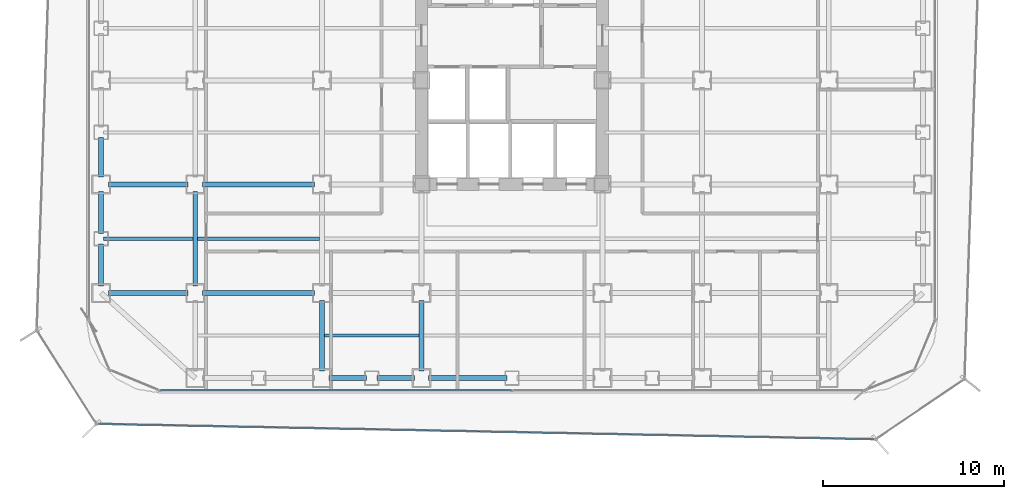
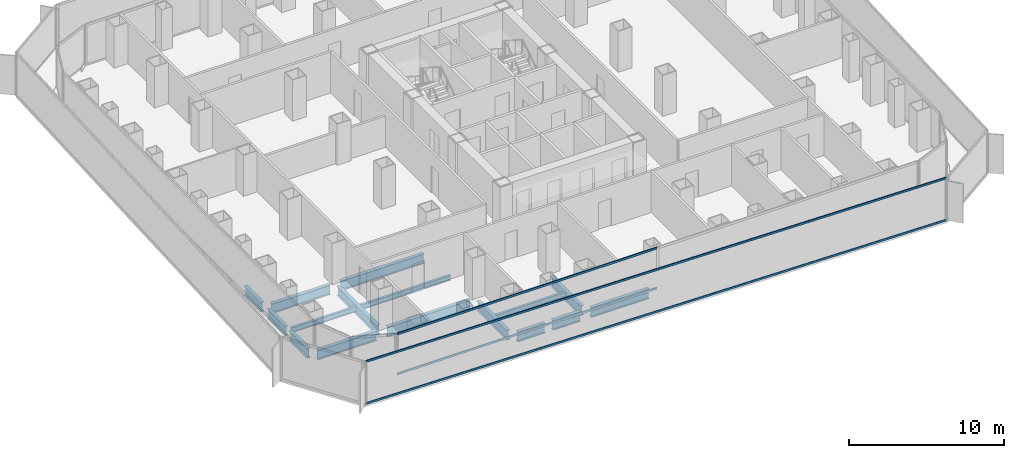
# One storey, part 3 of 22: 16 beams, 4 members, 2 elements without a shape of their own.
"""IFC4 building model written with IfcOpenShell, lengths in metres."""

from ifc_helpers import new_model, si_unit, direction, frame, origin, origin_2d, place, context, subcontext, project, spatial, hollow_rectangle, i_section, extrude, source, transform, mapped, material, layer, layer_set, material_profile, profile_set, type_object, element, aggregate, save


model = new_model("IFC4")

# Units and contexts
model_context = context("Model", 3, precision=1e-05, world=origin(), true_north=direction((0.0, 1.0)))
body_context = subcontext(model_context, "Body", "Model", "MODEL_VIEW")
ifc_project = project(units=[si_unit("LENGTHUNIT", "METRE"), si_unit("AREAUNIT", "SQUARE_METRE"), si_unit("VOLUMEUNIT", "CUBIC_METRE"), si_unit("PLANEANGLEUNIT", "RADIAN"), si_unit("MASSUNIT", "GRAM", prefix="KILO")], contexts=[model_context])

# Site, building, storey
site_placement = place(None, origin())
site = spatial("IfcSite", under=ifc_project, at=site_placement, CompositionType="ELEMENT")
building_placement = place(site_placement, origin())
building = spatial("IfcBuilding", under=site, at=building_placement, Name="Kolveth Station Tower", CompositionType="ELEMENT")
storey_placement = place(building_placement, frame((0.0, 0.0, 84.60009765625)))
storey = spatial("IfcBuildingStorey", under=building, at=storey_placement, Name="L22", CompositionType="ELEMENT", Elevation=84.60009765625)

# Beams
ifc_material_1 = material(Name="Steel S355", Category="steel")
ifc_material_profile_1 = material_profile(ifc_material_1, i_section(OverallWidth=0.26904296875, OverallDepth=0.77490234375, WebThickness=0.01708984375, FlangeThickness=0.0283203125, at=origin_2d()), Name="W760x220")
ifc_profile_set_1 = profile_set([ifc_material_profile_1], Name="Steel S355")
beam_type_1 = type_object("IfcBeamType", Name="Beam_SP1", PredefinedType="SPANDREL", material=ifc_profile_set_1)
shared_shape_1 = source(origin(), body_context, "Body", "SweptSolid", [
    extrude(i_section(OverallWidth=0.26904296875, OverallDepth=0.77490234375, WebThickness=0.01708984375, FlangeThickness=0.0283203125, at=origin_2d()), origin(), (0.0, 0.0, 1.0), 2.070068359375),
])
for number, where, z_axis, x_axis, name in (
    (1, (13.39990234375, 0.800048828125, -0.66748046875), (1.0, 0.0, 0.0), (0.0, 1.0, 0.0), "L22 Perimeter Spandrel BM-L22-PS-3"),
    (2, (16.030029296875, 0.800048828125, -0.66748046875), (1.0, 0.0, 0.0), (0.0, 1.0, 0.0), "L22 Perimeter Spandrel BM-L22-PS-4"),
):
    element("IfcBeam", number, at=place(storey_placement, frame(where, z_axis=z_axis, x_axis=x_axis)), inside=storey, type_object=beam_type_1, Name=name, PredefinedType="SPANDREL", context=body_context, shape_type="MappedRepresentation", body=[
        mapped(shared_shape_1, transform((0.0, 0.0, 0.0), x_axis=(1.0, 0.0, 0.0), y_axis=(0.0, 1.0, 0.0), z_axis=(0.0, 0.0, 1.0), scale=1.0)),
    ])
shared_shape_2 = source(origin(), body_context, "Body", "SweptSolid", [
    extrude(i_section(OverallWidth=0.26904296875, OverallDepth=0.77490234375, WebThickness=0.01708984375, FlangeThickness=0.0283203125, at=origin_2d()), origin(), (0.0, 0.0, 1.0), 4.320068359375),
])
beam_1_placement = place(storey_placement, frame((18.89990234375, 0.800048828125, -0.66748046875), z_axis=(1.0, 0.0, 0.0), x_axis=(0.0, 1.0, 0.0)))
element("IfcBeam", 3, at=beam_1_placement, inside=storey, type_object=beam_type_1, Name="L22 Perimeter Spandrel BM-L22-PS-5", PredefinedType="SPANDREL", context=body_context, shape_type="MappedRepresentation", body=[
    mapped(shared_shape_2, transform((0.0, 0.0, 0.0), x_axis=(1.0, 0.0, 0.0), y_axis=(0.0, 1.0, 0.0), z_axis=(0.0, 0.0, 1.0), scale=1.0)),
])
shared_shape_3 = source(origin(), body_context, "Body", "SweptSolid", [
    extrude(i_section(OverallWidth=0.26904296875, OverallDepth=0.77490234375, WebThickness=0.01708984375, FlangeThickness=0.0283203125, at=origin_2d()), origin(), (0.0, 0.0, 1.0), 2.320068359375),
])
for number, where, z_axis, x_axis, name in (
    (4, (0.800048828125, 5.89990234375, -0.66748046875), (0.0, 1.0, 0.0), (-1.0, 0.0, 0.0), "L22 Perimeter Spandrel BM-L22-PW-1"),
    (5, (0.800048828125, 8.780029296875, -0.66748046875), (0.0, 1.0, 0.0), (-1.0, 0.0, 0.0), "L22 Perimeter Spandrel BM-L22-PW-2"),
):
    element("IfcBeam", number, at=place(storey_placement, frame(where, z_axis=z_axis, x_axis=x_axis)), inside=storey, type_object=beam_type_1, Name=name, PredefinedType="SPANDREL", context=body_context, shape_type="MappedRepresentation", body=[
        mapped(shared_shape_3, transform((0.0, 0.0, 0.0), x_axis=(1.0, 0.0, 0.0), y_axis=(0.0, 1.0, 0.0), z_axis=(0.0, 0.0, 1.0), scale=1.0)),
    ])
shared_shape_4 = source(origin(), body_context, "Body", "SweptSolid", [
    extrude(i_section(OverallWidth=0.26904296875, OverallDepth=0.77490234375, WebThickness=0.01708984375, FlangeThickness=0.0283203125, at=origin_2d()), origin(), (0.0, 0.0, 1.0), 2.2001953125),
])
beam_2_placement = place(storey_placement, frame((0.800048828125, 11.89990234375, -0.66748046875), z_axis=(0.0, 1.0, 0.0), x_axis=(-1.0, 0.0, 0.0)))
element("IfcBeam", 6, at=beam_2_placement, inside=storey, type_object=beam_type_1, Name="L22 Perimeter Spandrel BM-L22-PW-3", PredefinedType="SPANDREL", context=body_context, shape_type="MappedRepresentation", body=[
    mapped(shared_shape_4, transform((0.0, 0.0, 0.0), x_axis=(1.0, 0.0, 0.0), y_axis=(0.0, 1.0, 0.0), z_axis=(0.0, 0.0, 1.0), scale=1.0)),
])
ifc_material_profile_2 = material_profile(ifc_material_1, i_section(OverallWidth=0.26708984375, OverallDepth=0.76611328125, WebThickness=0.014892578125, FlangeThickness=0.023681640625, at=origin_2d()), Name="W760x185")
ifc_profile_set_2 = profile_set([ifc_material_profile_2], Name="Steel S355")
beam_type_2 = type_object("IfcBeamType", Name="Beam_B3", PredefinedType="BEAM", material=ifc_profile_set_2)
shared_shape_5 = source(origin(), body_context, "Body", "SweptSolid", [
    extrude(i_section(OverallWidth=0.26708984375, OverallDepth=0.76611328125, WebThickness=0.014892578125, FlangeThickness=0.023681640625, at=origin_2d()), origin(), (0.0, 0.0, 1.0), 4.400146484375),
])
for number, where, z_axis, x_axis, name in (
    (7, (1.199951171875, 5.5, -0.6630859375), (1.0, 0.0, 0.0), (0.0, 1.0, 0.0), "L22 Primary Girder BM-L22-GY55-1"),
    (8, (1.199951171875, 11.5, -0.6630859375), (1.0, 0.0, 0.0), (0.0, 1.0, 0.0), "L22 Primary Girder BM-L22-GY115-1"),
):
    element("IfcBeam", number, at=place(storey_placement, frame(where, z_axis=z_axis, x_axis=x_axis)), inside=storey, type_object=beam_type_2, Name=name, PredefinedType="BEAM", context=body_context, shape_type="MappedRepresentation", body=[
        mapped(shared_shape_5, transform((0.0, 0.0, 0.0), x_axis=(1.0, 0.0, 0.0), y_axis=(0.0, 1.0, 0.0), z_axis=(0.0, 0.0, 1.0), scale=1.0)),
    ])
shared_shape_6 = source(origin(), body_context, "Body", "SweptSolid", [
    extrude(i_section(OverallWidth=0.26708984375, OverallDepth=0.76611328125, WebThickness=0.014892578125, FlangeThickness=0.023681640625, at=origin_2d()), origin(), (0.0, 0.0, 1.0), 6.2001953125),
])
for number, where, z_axis, x_axis, name in (
    (9, (6.39990234375, 5.5, -0.6630859375), (1.0, 0.0, 0.0), (0.0, 1.0, 0.0), "L22 Primary Girder BM-L22-GY55-2"),
    (10, (6.39990234375, 11.5, -0.6630859375), (1.0, 0.0, 0.0), (0.0, 1.0, 0.0), "L22 Primary Girder BM-L22-GY115-2"),
):
    element("IfcBeam", number, at=place(storey_placement, frame(where, z_axis=z_axis, x_axis=x_axis)), inside=storey, type_object=beam_type_2, Name=name, PredefinedType="BEAM", context=body_context, shape_type="MappedRepresentation", body=[
        mapped(shared_shape_6, transform((0.0, 0.0, 0.0), x_axis=(1.0, 0.0, 0.0), y_axis=(0.0, 1.0, 0.0), z_axis=(0.0, 0.0, 1.0), scale=1.0)),
    ])
shared_shape_7 = source(origin(), body_context, "Body", "SweptSolid", [
    extrude(i_section(OverallWidth=0.26708984375, OverallDepth=0.76611328125, WebThickness=0.014892578125, FlangeThickness=0.023681640625, at=origin_2d()), origin(), (0.0, 0.0, 1.0), 3.900146484375),
])
for number, where, z_axis, x_axis, name in (
    (11, (13.0, 1.199951171875, -0.6630859375), (0.0, 1.0, 0.0), (-1.0, 0.0, 0.0), "L22 Primary Girder BM-L22-GX130-1"),
    (12, (18.5, 1.199951171875, -0.6630859375), (0.0, 1.0, 0.0), (-1.0, 0.0, 0.0), "L22 Primary Girder BM-L22-GX185-1"),
):
    element("IfcBeam", number, at=place(storey_placement, frame(where, z_axis=z_axis, x_axis=x_axis)), inside=storey, type_object=beam_type_2, Name=name, PredefinedType="BEAM", context=body_context, shape_type="MappedRepresentation", body=[
        mapped(shared_shape_7, transform((0.0, 0.0, 0.0), x_axis=(1.0, 0.0, 0.0), y_axis=(0.0, 1.0, 0.0), z_axis=(0.0, 0.0, 1.0), scale=1.0)),
    ])
shared_shape_8 = source(origin(), body_context, "Body", "SweptSolid", [
    extrude(i_section(OverallWidth=0.26708984375, OverallDepth=0.76611328125, WebThickness=0.014892578125, FlangeThickness=0.023681640625, at=origin_2d()), origin(), (0.0, 0.0, 1.0), 5.2001953125),
])
beam_3_placement = place(storey_placement, frame((6.0, 5.89990234375, -0.6630859375), z_axis=(0.0, 1.0, 0.0), x_axis=(-1.0, 0.0, 0.0)))
element("IfcBeam", 13, at=beam_3_placement, inside=storey, type_object=beam_type_2, Name="L22 Primary Girder BM-L22-GX60-2", PredefinedType="BEAM", context=body_context, shape_type="MappedRepresentation", body=[
    mapped(shared_shape_8, transform((0.0, 0.0, 0.0), x_axis=(1.0, 0.0, 0.0), y_axis=(0.0, 1.0, 0.0), z_axis=(0.0, 0.0, 1.0), scale=1.0)),
])
ifc_material_profile_3 = material_profile(ifc_material_1, i_section(OverallWidth=0.177978515625, OverallDepth=0.406982421875, WebThickness=0.0078125, FlangeThickness=0.0126953125, at=origin_2d()), Name="W410x60")
ifc_profile_set_3 = profile_set([ifc_material_profile_3], Name="Steel S355")
beam_type_3 = type_object("IfcBeamType", Name="Beam_J1", PredefinedType="JOIST", material=ifc_profile_set_3)
shared_shape_9 = source(origin(), body_context, "Body", "SweptSolid", [
    extrude(i_section(OverallWidth=0.177978515625, OverallDepth=0.406982421875, WebThickness=0.0078125, FlangeThickness=0.0126953125, at=origin_2d()), origin(), (0.0, 0.0, 1.0), 4.935791015625),
])
beam_4_placement = place(storey_placement, frame((0.9326171875, 8.5, -0.483642578125), z_axis=(1.0, 0.0, 0.0), x_axis=(0.0, 1.0, 0.0)))
element("IfcBeam", 14, at=beam_4_placement, inside=storey, type_object=beam_type_3, Name="L22 Secondary Joist JST-L22-1-2", PredefinedType="JOIST", context=body_context, shape_type="MappedRepresentation", body=[
    mapped(shared_shape_9, transform((0.0, 0.0, 0.0), x_axis=(1.0, 0.0, 0.0), y_axis=(0.0, 1.0, 0.0), z_axis=(0.0, 0.0, 1.0), scale=1.0)),
])
shared_shape_10 = source(origin(), body_context, "Body", "SweptSolid", [
    extrude(i_section(OverallWidth=0.177978515625, OverallDepth=0.406982421875, WebThickness=0.0078125, FlangeThickness=0.0126953125, at=origin_2d()), origin(), (0.0, 0.0, 1.0), 6.73681640625),
])
beam_5_placement = place(storey_placement, frame((6.131591796875, 8.5, -0.483642578125), z_axis=(1.0, 0.0, 0.0), x_axis=(0.0, 1.0, 0.0)))
element("IfcBeam", 15, at=beam_5_placement, inside=storey, type_object=beam_type_3, Name="L22 Secondary Joist JST-L22-2-2", PredefinedType="JOIST", context=body_context, shape_type="MappedRepresentation", body=[
    mapped(shared_shape_10, transform((0.0, 0.0, 0.0), x_axis=(1.0, 0.0, 0.0), y_axis=(0.0, 1.0, 0.0), z_axis=(0.0, 0.0, 1.0), scale=1.0)),
])
shared_shape_11 = source(origin(), body_context, "Body", "SweptSolid", [
    extrude(i_section(OverallWidth=0.177978515625, OverallDepth=0.406982421875, WebThickness=0.0078125, FlangeThickness=0.0126953125, at=origin_2d()), origin(), (0.0, 0.0, 1.0), 5.23681640625),
])
beam_6_placement = place(storey_placement, frame((13.131591796875, 3.14990234375, -0.483642578125), z_axis=(1.0, 0.0, 0.0), x_axis=(0.0, 1.0, 0.0)))
element("IfcBeam", 16, at=beam_6_placement, inside=storey, type_object=beam_type_3, Name="L22 Secondary Joist JST-L22-3-1", PredefinedType="JOIST", context=body_context, shape_type="MappedRepresentation", body=[
    mapped(shared_shape_11, transform((0.0, 0.0, 0.0), x_axis=(1.0, 0.0, 0.0), y_axis=(0.0, 1.0, 0.0), z_axis=(0.0, 0.0, 1.0), scale=1.0)),
])

# Curtain wall, members
ifc_material_2 = material(Name="Aluminium 6063-T6 and low-E dark glass", Category="aluminium")
ifc_layer_1 = layer(ifc_material_2, 0.179931640625)
ifc_layer_set_1 = layer_set([ifc_layer_1], Name="Aluminium 6063-T6 and low-E dark glass")
curtain_wall_type_1 = type_object("IfcCurtainWallType", Name="CurtainWall_CW-Z1", PredefinedType="NOTDEFINED", material=ifc_layer_set_1)
curtain_wall_1_placement = place(storey_placement, origin())
curtain_wall_1 = element("IfcCurtainWall", 17, at=curtain_wall_1_placement, inside=storey, type_object=curtain_wall_type_1, Name="L22 Inner Thermal Curtain Wall 12", PredefinedType="NOTDEFINED")
ifc_material_3 = material(Name="Black anodized aluminium 6063-T6", Category="aluminium")
ifc_material_profile_4 = material_profile(ifc_material_3, hollow_rectangle(XDim=0.074951171875, YDim=0.159912109375, WallThickness=0.0048828125, at=origin_2d()), Name="ALU-75x160x5")
ifc_profile_set_4 = profile_set([ifc_material_profile_4], Name="Black anodized aluminium 6063-T6")
member_type_1 = type_object("IfcMemberType", Name="Transom_TR1", PredefinedType="USERDEFINED", material=ifc_profile_set_4)
shared_shape_12 = source(origin(), body_context, "Body", "SweptSolid", [
    extrude(hollow_rectangle(XDim=0.074951171875, YDim=0.159912109375, WallThickness=0.0048828125, at=origin_2d()), origin(), (0.0, 0.0, 1.0), 19.387451171875),
])
member_1_placement = place(storey_placement, frame((4.074951171875, 0.1201171875, 0.037353515625), z_axis=(1.0, 0.0, 0.0), x_axis=(0.0, 1.0, 0.0)))
member_1 = element("IfcMember", 18, at=member_1_placement, type_object=member_type_1, Name="CW-Z1 transom 1.1", ObjectType="TRANSOM", PredefinedType="USERDEFINED", context=body_context, shape_type="MappedRepresentation", body=[
    mapped(shared_shape_12, transform((0.0, 0.0, 0.0), x_axis=(1.0, 0.0, 0.0), y_axis=(0.0, 1.0, 0.0), z_axis=(0.0, 0.0, 1.0), scale=1.0)),
])
member_2_placement = place(storey_placement, frame((4.074951171875, 0.1201171875, 3.202392578125), z_axis=(1.0, 0.0, 0.0), x_axis=(0.0, 1.0, 0.0)))
member_2 = element("IfcMember", 19, at=member_2_placement, type_object=member_type_1, Name="CW-Z1 transom 1.2", ObjectType="TRANSOM", PredefinedType="USERDEFINED", context=body_context, shape_type="MappedRepresentation", body=[
    mapped(shared_shape_12, transform((0.0, 0.0, 0.0), x_axis=(1.0, 0.0, 0.0), y_axis=(0.0, 1.0, 0.0), z_axis=(0.0, 0.0, 1.0), scale=1.0)),
])
aggregate(curtain_wall_1, [member_1, member_2])

ifc_material_4 = material(Name="Black anodized aluminium 6063-T6 and dark solar glass", Category="aluminium")
ifc_layer_2 = layer(ifc_material_4, 0.159912109375)
ifc_layer_set_2 = layer_set([ifc_layer_2], Name="Black anodized aluminium 6063-T6 and dark solar glass")
curtain_wall_type_2 = type_object("IfcCurtainWallType", Name="OUTER SKIN CW-OS", PredefinedType="NOTDEFINED", material=ifc_layer_set_2)
curtain_wall_2_placement = place(storey_placement, origin())
curtain_wall_2 = element("IfcCurtainWall", 20, at=curtain_wall_2_placement, inside=storey, type_object=curtain_wall_type_2, Name="L22 Outer Ventilated Skin Curtain Wall 8", PredefinedType="NOTDEFINED")
ifc_material_profile_5 = material_profile(ifc_material_3, hollow_rectangle(XDim=0.080078125, YDim=0.14990234375, WallThickness=0.0048828125, at=origin_2d()), Name="ALU-80x150x5")
ifc_profile_set_5 = profile_set([ifc_material_profile_5], Name="Black anodized aluminium 6063-T6")
member_type_2 = type_object("IfcMemberType", Name="Transom_TR-OS", PredefinedType="USERDEFINED", material=ifc_profile_set_5)
shared_shape_13 = source(origin(), body_context, "Body", "SweptSolid", [
    extrude(hollow_rectangle(XDim=0.080078125, YDim=0.14990234375, WallThickness=0.0048828125, at=origin_2d()), origin(), (0.0, 0.0, 1.0), 42.877197265625),
])
member_3_placement = place(storey_placement, frame((0.63427734375, -1.7353515625, 0.039794921875), z_axis=(0.999804454572, -0.019775050377, 0.0), x_axis=(0.019775050377, 0.999804454572, 0.0)))
member_3 = element("IfcMember", 21, at=member_3_placement, type_object=member_type_2, Name="CW-OS transom 1.1", ObjectType="TRANSOM", PredefinedType="USERDEFINED", context=body_context, shape_type="MappedRepresentation", body=[
    mapped(shared_shape_13, transform((0.0, 0.0, 0.0), x_axis=(1.0, 0.0, 0.0), y_axis=(0.0, 1.0, 0.0), z_axis=(0.0, 0.0, 1.0), scale=1.0)),
])
member_4_placement = place(storey_placement, frame((0.63427734375, -1.7353515625, 3.349853515625), z_axis=(0.999804454572, -0.019775050377, 0.0), x_axis=(0.019775050377, 0.999804454572, 0.0)))
member_4 = element("IfcMember", 22, at=member_4_placement, type_object=member_type_2, Name="CW-OS transom 1.2", ObjectType="TRANSOM", PredefinedType="USERDEFINED", context=body_context, shape_type="MappedRepresentation", body=[
    mapped(shared_shape_13, transform((0.0, 0.0, 0.0), x_axis=(1.0, 0.0, 0.0), y_axis=(0.0, 1.0, 0.0), z_axis=(0.0, 0.0, 1.0), scale=1.0)),
])
aggregate(curtain_wall_2, [member_3, member_4])

save(model, "model.ifc")
